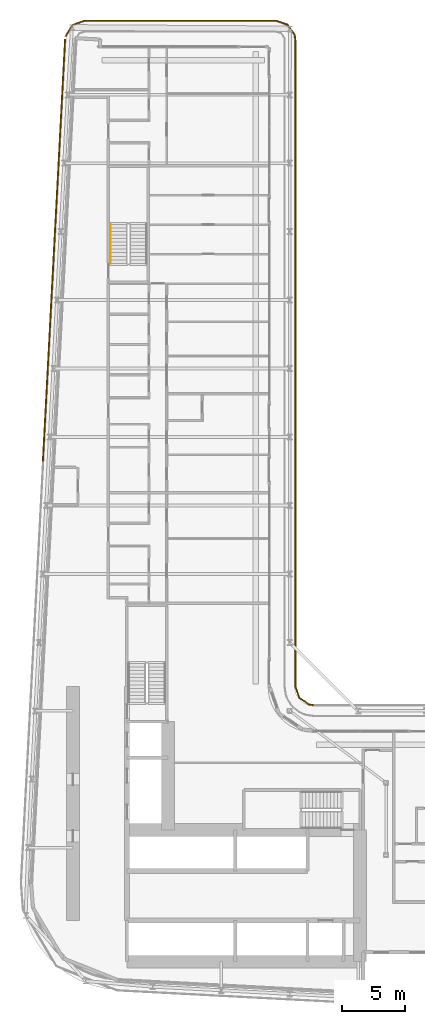
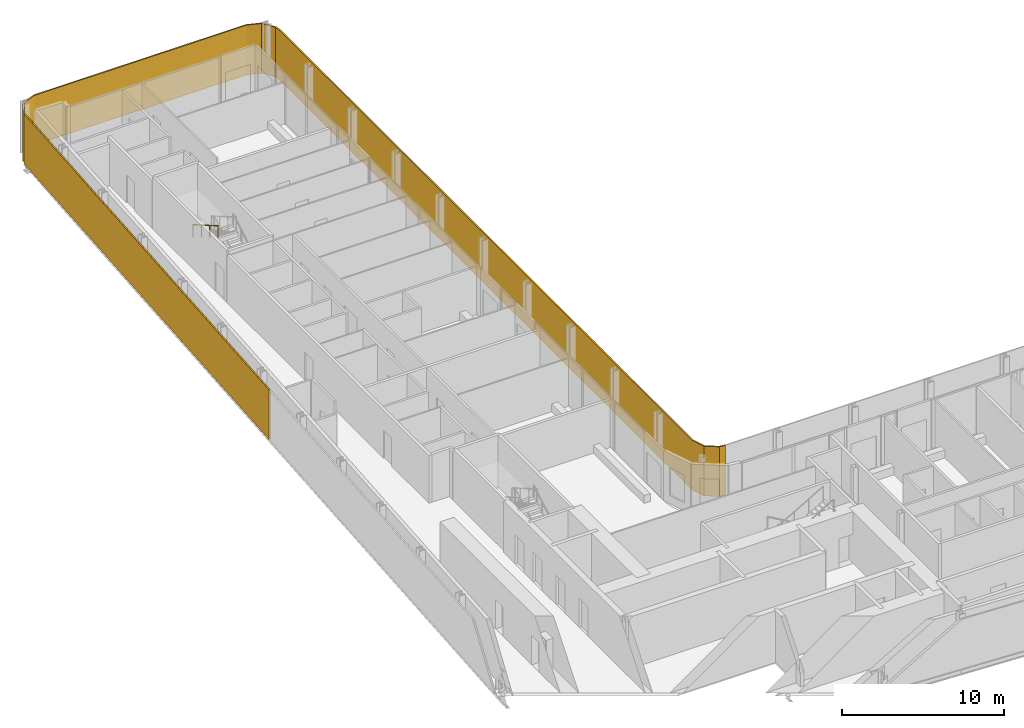
# One storey, part 22 of 24: 2 shading devices, 1 railing.
"""IFC4 building model written with IfcOpenShell, lengths in metres."""

from ifc_helpers import new_model, si_unit, direction, frame, origin, origin_2d, place, context, subcontext, project, spatial, polyline, rectangle, circle, outline, extrude, material, layer, layer_set, type_object, element, save


model = new_model("IFC4")

# Units and contexts
model_context = context("Model", 3, precision=1e-05, world=origin(), true_north=direction((0.0, 1.0)))
body_context = subcontext(model_context, "Body", "Model", "MODEL_VIEW")
ifc_project = project(units=[si_unit("LENGTHUNIT", "METRE"), si_unit("AREAUNIT", "SQUARE_METRE"), si_unit("VOLUMEUNIT", "CUBIC_METRE"), si_unit("PLANEANGLEUNIT", "RADIAN"), si_unit("MASSUNIT", "GRAM", prefix="KILO")], contexts=[model_context])

# Site, building, storey
site_placement = place(None, origin())
site = spatial("IfcSite", under=ifc_project, at=site_placement, CompositionType="ELEMENT")
building_placement = place(site_placement, origin())
building = spatial("IfcBuilding", under=site, at=building_placement, Name="Kheshtan School and Residences Tower", CompositionType="ELEMENT")
storey_placement = place(building_placement, frame((0.0, 0.0, 38.300048828125)))
storey = spatial("IfcBuildingStorey", under=building, at=storey_placement, Name="L08", CompositionType="ELEMENT", Elevation=38.300048828125)

# Shading devices
ifc_material_1 = material(Name="Terracotta baguette, extruded ceramic", Category="masonry")
ifc_layer_1 = layer(ifc_material_1, 0.10009765625)
ifc_layer_set_1 = layer_set([ifc_layer_1], Name="Ledge screen, terracotta baguettes")
shading_device_type_1 = type_object("IfcShadingDeviceType", Name="Ledge screen, terracotta baguettes", PredefinedType="USERDEFINED", material=ifc_layer_set_1)
shading_device_1_placement = place(storey_placement, frame((28.9990234375, 81.93408203125, 0.0), z_axis=(0.0, 0.0, 1.0), x_axis=(0.052562536748, 0.998617634398, 0.0)))
element("IfcShadingDevice", 1, at=shading_device_1_placement, inside=storey, type_object=shading_device_type_1, Name="Screen L08 5", ObjectType="BAGUETTE", PredefinedType="USERDEFINED", context=body_context, shape_type="SweptSolid", body=[
    extrude(rectangle(XDim=33.341064453125, YDim=0.10009765625, at=origin_2d()), origin(), (0.0, 0.0, 1.0), 3.75),
])
ifc_material_2 = material(Name="Terracotta lattice, extruded ceramic", Category="masonry")
ifc_layer_2 = layer(ifc_material_2, 0.10009765625)
ifc_layer_set_2 = layer_set([ifc_layer_2], Name="Loggia screen, terracotta lattice")
shading_device_type_2 = type_object("IfcShadingDeviceType", Name="Loggia screen, terracotta lattice", PredefinedType="USERDEFINED", material=ifc_layer_set_2)
shading_device_2_placement = place(storey_placement, origin())
element("IfcShadingDevice", 2, at=shading_device_2_placement, inside=storey, type_object=shading_device_type_2, Name="Screen L08 1", ObjectType="SCREEN", PredefinedType="USERDEFINED", context=body_context, shape_type="SweptSolid", body=[
    extrude(outline(polyline([(29.949951171875, 98.783935546875), (30.468017578125, 99.656982421875), (31.423095703125, 100.0), (46.5, 100.0), (47.4130859375, 99.68994140625), (47.948974609375, 98.887939453125), (48.0, 98.5), (48.0, 47.5), (48.31005859375, 46.5869140625), (49.112060546875, 46.051025390625), (49.5, 46.0), (49.512939453125, 46.09912109375), (49.14794921875, 46.14697265625), (48.39404296875, 46.65087890625), (48.10009765625, 47.51708984375), (48.10009765625, 98.507080078125), (48.044921875, 98.924072265625), (47.47705078125, 99.77392578125), (46.51708984375, 100.10009765625), (31.406005859375, 100.10009765625), (30.39990234375, 99.739013671875), (29.864013671875, 98.8349609375), (29.949951171875, 98.783935546875)])), origin(), (0.0, 0.0, 1.0), 3.75),
])

# Railing
ifc_material_3 = material(Name="Stainless steel handrail", Category="steel")
railing_type = type_object("IfcRailingType", Name="Stair handrail 900", PredefinedType="HANDRAIL", material=ifc_material_3)
railing_placement = place(storey_placement, frame((33.449951171875, 83.97998046875, 2.112548828125)))
element("IfcRailing", 3, at=railing_placement, inside=storey, type_object=railing_type, Name="L08 ST3 stair handrail 2", PredefinedType="HANDRAIL", context=body_context, shape_type="SweptSolid", body=[
    extrude(circle(Radius=0.02392578125, at=origin_2d()), frame((0.0, 0.0, 0.8759765625), z_axis=(0.0, -0.864920483161, 0.501908913857), x_axis=(1.0, 0.0, 0.0)), (0.0, 0.0, 1.0), 3.56103515625),
    extrude(circle(Radius=0.02099609375, at=origin_2d()), origin(), (0.0, 0.0, 1.0), 0.851806640625),
    extrude(circle(Radius=0.02099609375, at=origin_2d()), frame((0.0, -1.026611328125, 0.595703125)), (0.0, 0.0, 1.0), 0.851806640625),
    extrude(circle(Radius=0.02099609375, at=origin_2d()), frame((0.0, -2.053466796875, 1.191650390625)), (0.0, 0.0, 1.0), 0.851806640625),
    extrude(circle(Radius=0.02099609375, at=origin_2d()), frame((0.0, -3.080078125, 1.787353515625)), (0.0, 0.0, 1.0), 0.851806640625),
])

save(model, "model.ifc")
